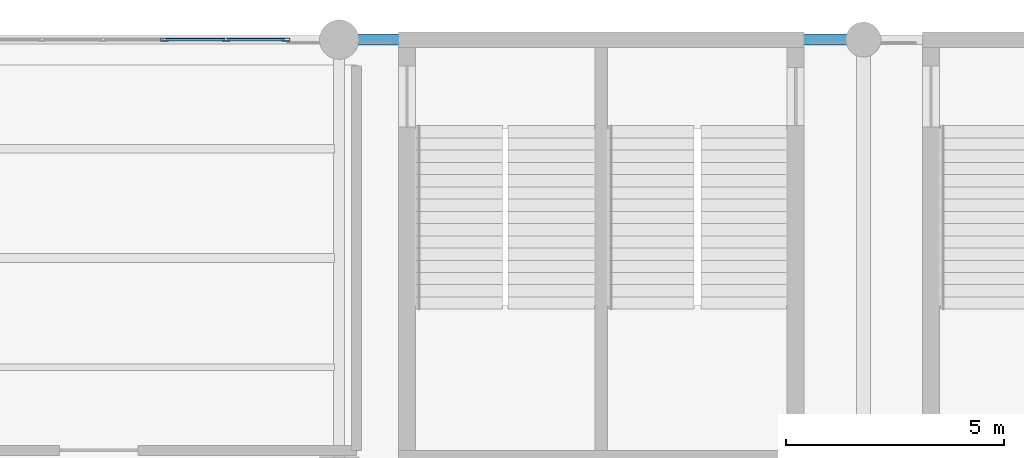
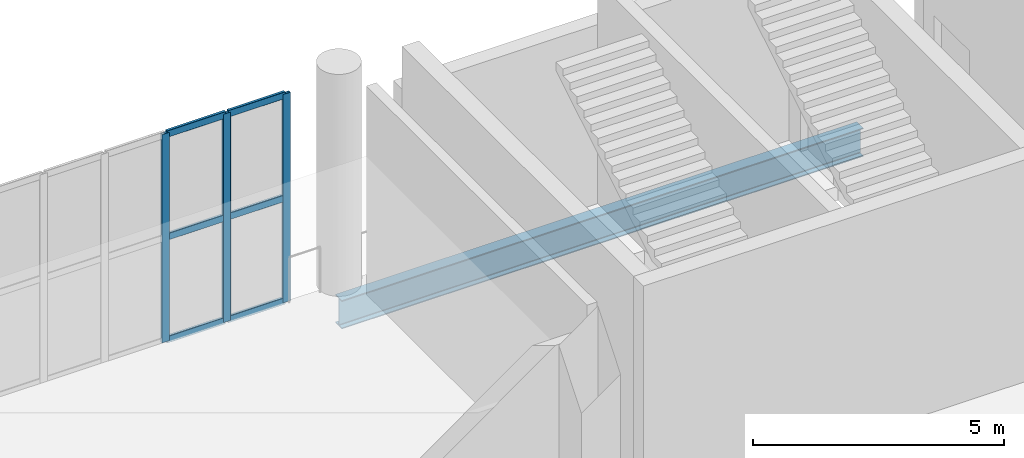
# One storey, part 23 of 74: 9 members, 1 beam, 1 element without a shape of its own.
"""IFC4 building model written with IfcOpenShell, lengths in metres."""

from ifc_helpers import new_model, si_unit, direction, frame, origin, origin_2d, place, context, subcontext, project, spatial, hollow_rectangle, i_section, extrude, material, layer, layer_set, material_profile, profile_set, type_object, element, aggregate, save


model = new_model("IFC4")

# Units and contexts
model_context = context("Model", 3, precision=1e-05, world=origin(), true_north=direction((0.0, 1.0)))
body_context = subcontext(model_context, "Body", "Model", "MODEL_VIEW")
ifc_project = project(units=[si_unit("LENGTHUNIT", "METRE"), si_unit("AREAUNIT", "SQUARE_METRE"), si_unit("VOLUMEUNIT", "CUBIC_METRE"), si_unit("PLANEANGLEUNIT", "RADIAN"), si_unit("MASSUNIT", "GRAM", prefix="KILO")], contexts=[model_context])

# Site, building, storey
site_placement = place(None, origin())
site = spatial("IfcSite", under=ifc_project, at=site_placement, CompositionType="ELEMENT")
building_placement = place(site_placement, origin())
building = spatial("IfcBuilding", under=site, at=building_placement, Name="Brinegate Civic Arena", CompositionType="ELEMENT")
storey_placement = place(building_placement, frame((0.0, 0.0, 19.199951171875)))
storey = spatial("IfcBuildingStorey", under=building, at=storey_placement, Name="L04", CompositionType="ELEMENT", Elevation=19.199951171875)

# Curtain wall, members
ifc_material_1 = material(Name="Marine grade aluminium", Category="aluminium")
ifc_layer = layer(ifc_material_1, 0.235107421875, Name="Marine grade aluminium")
ifc_layer_set = layer_set([ifc_layer], Name="Marine grade aluminium")
curtain_wall_type = type_object("IfcCurtainWallType", Name="CW-PORTAL-NORTH-01", PredefinedType="USERDEFINED", material=ifc_layer_set)
curtain_wall_placement = place(storey_placement, origin())
curtain_wall = element("IfcCurtainWall", 1, at=curtain_wall_placement, inside=storey, type_object=curtain_wall_type, Name="Curtain Wall CWA-146", ObjectType="PORTAL CURTAIN WALL", PredefinedType="USERDEFINED")
ifc_material_profile_1 = material_profile(ifc_material_1, hollow_rectangle(XDim=0.06494140625, YDim=0.179931640625, WallThickness=0.0048828125, InnerFilletRadius=0.00390625, OuterFilletRadius=0.008056640625, at=origin_2d()), Name="MUL65X180")
ifc_profile_set_1 = profile_set([ifc_material_profile_1], Name="Marine grade aluminium")
member_type_1 = type_object("IfcMemberType", Name="CW-MULLION-65X180", PredefinedType="MULLION", material=ifc_profile_set_1)
member_1_placement = place(storey_placement, frame((104.002685546875, 124.0, 0.0), z_axis=(0.0, 0.0, 1.0), x_axis=(0.0, 1.0, 0.0)))
member_1 = element("IfcMember", 2, at=member_1_placement, type_object=member_type_1, Name="CWA-146 mullion 6", PredefinedType="MULLION", context=body_context, shape_type="SweptSolid", body=[
    extrude(hollow_rectangle(XDim=0.06494140625, YDim=0.179931640625, WallThickness=0.0048828125, InnerFilletRadius=0.00390625, OuterFilletRadius=0.008056640625, at=origin_2d()), origin(), (0.0, 0.0, 1.0), 5.070068359375),
])
member_2_placement = place(storey_placement, frame((105.408203125, 124.0, 0.0), z_axis=(0.0, 0.0, 1.0), x_axis=(0.0, 1.0, 0.0)))
member_2 = element("IfcMember", 3, at=member_2_placement, type_object=member_type_1, Name="CWA-146 mullion 7", PredefinedType="MULLION", context=body_context, shape_type="SweptSolid", body=[
    extrude(hollow_rectangle(XDim=0.06494140625, YDim=0.179931640625, WallThickness=0.0048828125, InnerFilletRadius=0.00390625, OuterFilletRadius=0.008056640625, at=origin_2d()), origin(), (0.0, 0.0, 1.0), 5.070068359375),
])
member_3_placement = place(storey_placement, frame((106.781494140625, 124.0, 0.0), z_axis=(0.0, 0.0, 1.0), x_axis=(0.0, 1.0, 0.0)))
member_3 = element("IfcMember", 4, at=member_3_placement, type_object=member_type_1, Name="CWA-146 mullion 8", PredefinedType="MULLION", context=body_context, shape_type="SweptSolid", body=[
    extrude(hollow_rectangle(XDim=0.06494140625, YDim=0.179931640625, WallThickness=0.0048828125, InnerFilletRadius=0.00390625, OuterFilletRadius=0.008056640625, at=origin_2d()), origin(), (0.0, 0.0, 1.0), 5.070068359375),
])
ifc_material_profile_2 = material_profile(ifc_material_1, hollow_rectangle(XDim=0.06494140625, YDim=0.1650390625, WallThickness=0.0048828125, InnerFilletRadius=0.00390625, OuterFilletRadius=0.008056640625, at=origin_2d()), Name="TRN65X165")
ifc_profile_set_2 = profile_set([ifc_material_profile_2], Name="Marine grade aluminium")
member_type_2 = type_object("IfcMemberType", Name="CW-TRANSOM-65X165", PredefinedType="USERDEFINED", material=ifc_profile_set_2)
member_4_placement = place(storey_placement, frame((104.03515625, 124.0, 0.032470703125), z_axis=(1.0, 0.0, 0.0), x_axis=(0.0, 1.0, 0.0)))
member_4 = element("IfcMember", 5, at=member_4_placement, type_object=member_type_2, Name="CWA-146 transom 6.1", ObjectType="TRANSOM", PredefinedType="USERDEFINED", context=body_context, shape_type="SweptSolid", body=[
    extrude(hollow_rectangle(XDim=0.06494140625, YDim=0.1650390625, WallThickness=0.0048828125, InnerFilletRadius=0.00390625, OuterFilletRadius=0.008056640625, at=origin_2d()), origin(), (0.0, 0.0, 1.0), 1.340576171875),
])
member_5_placement = place(storey_placement, frame((104.03515625, 124.0, 2.53515625), z_axis=(1.0, 0.0, 0.0), x_axis=(0.0, 1.0, 0.0)))
member_5 = element("IfcMember", 6, at=member_5_placement, type_object=member_type_2, Name="CWA-146 transom 6.2", ObjectType="TRANSOM", PredefinedType="USERDEFINED", context=body_context, shape_type="SweptSolid", body=[
    extrude(hollow_rectangle(XDim=0.06494140625, YDim=0.1650390625, WallThickness=0.0048828125, InnerFilletRadius=0.00390625, OuterFilletRadius=0.008056640625, at=origin_2d()), origin(), (0.0, 0.0, 1.0), 1.340576171875),
])
member_6_placement = place(storey_placement, frame((104.03515625, 124.0, 5.03759765625), z_axis=(1.0, 0.0, 0.0), x_axis=(0.0, 1.0, 0.0)))
member_6 = element("IfcMember", 7, at=member_6_placement, type_object=member_type_2, Name="CWA-146 transom 6.3", ObjectType="TRANSOM", PredefinedType="USERDEFINED", context=body_context, shape_type="SweptSolid", body=[
    extrude(hollow_rectangle(XDim=0.06494140625, YDim=0.1650390625, WallThickness=0.0048828125, InnerFilletRadius=0.00390625, OuterFilletRadius=0.008056640625, at=origin_2d()), origin(), (0.0, 0.0, 1.0), 1.340576171875),
])
member_7_placement = place(storey_placement, frame((105.440673828125, 124.0, 0.032470703125), z_axis=(1.0, 0.0, 0.0), x_axis=(0.0, 1.0, 0.0)))
member_7 = element("IfcMember", 8, at=member_7_placement, type_object=member_type_2, Name="CWA-146 transom 7.1", ObjectType="TRANSOM", PredefinedType="USERDEFINED", context=body_context, shape_type="SweptSolid", body=[
    extrude(hollow_rectangle(XDim=0.06494140625, YDim=0.1650390625, WallThickness=0.0048828125, InnerFilletRadius=0.00390625, OuterFilletRadius=0.008056640625, at=origin_2d()), origin(), (0.0, 0.0, 1.0), 1.308349609375),
])
member_8_placement = place(storey_placement, frame((105.440673828125, 124.0, 2.53515625), z_axis=(1.0, 0.0, 0.0), x_axis=(0.0, 1.0, 0.0)))
member_8 = element("IfcMember", 9, at=member_8_placement, type_object=member_type_2, Name="CWA-146 transom 7.2", ObjectType="TRANSOM", PredefinedType="USERDEFINED", context=body_context, shape_type="SweptSolid", body=[
    extrude(hollow_rectangle(XDim=0.06494140625, YDim=0.1650390625, WallThickness=0.0048828125, InnerFilletRadius=0.00390625, OuterFilletRadius=0.008056640625, at=origin_2d()), origin(), (0.0, 0.0, 1.0), 1.308349609375),
])
member_9_placement = place(storey_placement, frame((105.440673828125, 124.0, 5.03759765625), z_axis=(1.0, 0.0, 0.0), x_axis=(0.0, 1.0, 0.0)))
member_9 = element("IfcMember", 10, at=member_9_placement, type_object=member_type_2, Name="CWA-146 transom 7.3", ObjectType="TRANSOM", PredefinedType="USERDEFINED", context=body_context, shape_type="SweptSolid", body=[
    extrude(hollow_rectangle(XDim=0.06494140625, YDim=0.1650390625, WallThickness=0.0048828125, InnerFilletRadius=0.00390625, OuterFilletRadius=0.008056640625, at=origin_2d()), origin(), (0.0, 0.0, 1.0), 1.308349609375),
])
aggregate(curtain_wall, [member_1, member_2, member_3, member_4, member_5, member_6, member_7, member_8, member_9])

# Beam
ifc_material_2 = material(Name="Steel S355", Category="steel")
ifc_material_profile_3 = material_profile(ifc_material_2, i_section(OverallWidth=0.256103515625, OverallDepth=0.693115234375, WebThickness=0.014892578125, FlangeThickness=0.02392578125, FilletRadius=0.01806640625, at=origin_2d()), Name="W690X170")
ifc_profile_set_3 = profile_set([ifc_material_profile_3], Name="Steel S355")
beam_type = type_object("IfcBeamType", Name="SPANDREL-W690X170", PredefinedType="SPANDREL", material=ifc_profile_set_3)
beam_placement = place(storey_placement, frame((108.0, 124.0, -0.68603515625), z_axis=(1.0, 0.0, 0.0), x_axis=(0.0, 1.0, 0.0)))
element("IfcBeam", 11, at=beam_placement, inside=storey, type_object=beam_type, Name="Floor Girder BM-L04-GX-09-12", PredefinedType="SPANDREL", context=body_context, shape_type="SweptSolid", body=[
    extrude(i_section(OverallWidth=0.256103515625, OverallDepth=0.693115234375, WebThickness=0.014892578125, FlangeThickness=0.02392578125, FilletRadius=0.01806640625, at=origin_2d()), origin(), (0.0, 0.0, 1.0), 12.0),
])

save(model, "model.ifc")
